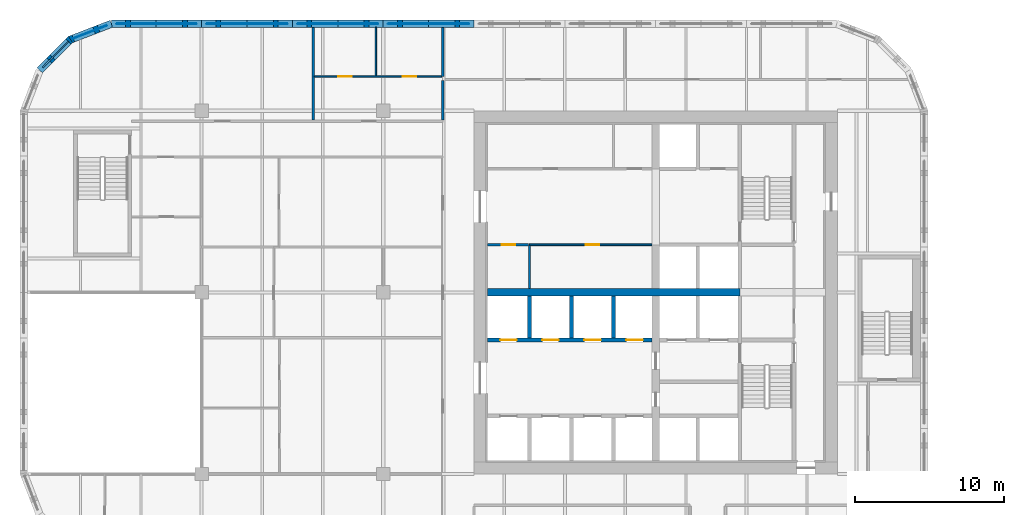
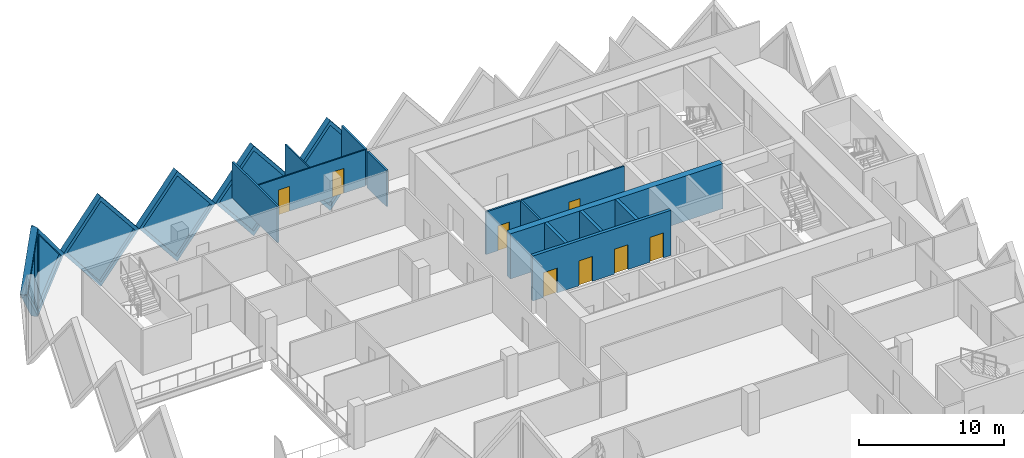
# One storey, part 9 of 19: 19 walls, 8 doors, 6 plates, 14 openings.
"""IFC4 building model written with IfcOpenShell, lengths in metres."""

from ifc_helpers import new_model, si_unit, direction, frame, frame_2d, origin, place, context, subcontext, project, spatial, polyline, rectangle, outline, extrude, faceted_brep, source, transform, mapped, material, layer, layer_set, type_object, element, fill, save


model = new_model("IFC4")

# Units and contexts
model_context = context("Model", 3, precision=1e-05, world=origin(), true_north=direction((0.0, 1.0)))
body_context = subcontext(model_context, "Body", "Model", "MODEL_VIEW")
ifc_project = project(units=[si_unit("LENGTHUNIT", "METRE"), si_unit("AREAUNIT", "SQUARE_METRE"), si_unit("VOLUMEUNIT", "CUBIC_METRE"), si_unit("PLANEANGLEUNIT", "RADIAN"), si_unit("MASSUNIT", "GRAM", prefix="KILO")], contexts=[model_context])

# Site, building, storey
site_placement = place(None, origin())
site = spatial("IfcSite", under=ifc_project, at=site_placement, CompositionType="ELEMENT")
building_placement = place(site_placement, origin())
building = spatial("IfcBuilding", under=site, at=building_placement, Name="Tessera Gate Towers", CompositionType="ELEMENT")
storey_placement = place(building_placement, frame((0.0, 0.0, 72.39990234375)))
storey = spatial("IfcBuildingStorey", under=building, at=storey_placement, Name="L17", CompositionType="ELEMENT", Elevation=72.39990234375)

# Wall, openings, doors
ifc_material_1 = material(Name="Concrete C40/50", Category="concrete")
ifc_layer_1 = layer(ifc_material_1, 0.25)
ifc_layer_set_1 = layer_set([ifc_layer_1], Name="CORE ENCLOSURE WALL 250")
wall_type_1 = type_object("IfcWallType", Name="CORE ENCLOSURE WALL 250", PredefinedType="SOLIDWALL", material=ifc_layer_set_1)
wall_1_placement = place(storey_placement, frame((42.449951171875, 33.39990234375, 0.0), z_axis=(0.0, 0.0, 1.0), x_axis=(-1.0, 0.0, 0.0)))
wall_1 = element("IfcWall", 1, at=wall_1_placement, inside=storey, type_object=wall_type_1, Name="L17 shaft and stair enclosure wall", PredefinedType="SOLIDWALL", context=body_context, shape_type="SweptSolid", body=[
    extrude(rectangle(XDim=11.050048828125, YDim=0.25, at=frame_2d((5.52490234375, 0.0))), origin(), (0.0, 0.0, 1.0), 3.800048828125),
])
shared_shape_1 = source(origin(), body_context, "Body", "SweptSolid", [
    extrude(rectangle(XDim=1.10009765625, YDim=2.10009765625, at=frame_2d((0.550048828125, 1.050048828125))), frame((0.0, 0.135009765625, 0.0), z_axis=(0.0, -1.0, 0.0), x_axis=(1.0, 0.0, 0.0)), (0.0, 0.0, 1.0), 0.27001953125),
])
opening_1_placement = place(wall_1_placement, frame((9.08740234375, 0.0, 0.0)))
opening_1 = element("IfcOpeningElement", 2, at=opening_1_placement, cuts=wall_1, Name="Opening LD-LR5", PredefinedType="OPENING", context=body_context, shape_type="MappedRepresentation", body=[
    mapped(shared_shape_1, transform((0.0, 0.0, 0.0), scale=1.0)),
])
opening_2_placement = place(wall_1_placement, frame((6.262451171875, 0.0, 0.0)))
opening_2 = element("IfcOpeningElement", 3, at=opening_2_placement, cuts=wall_1, Name="Opening LD-LR6", PredefinedType="OPENING", context=body_context, shape_type="MappedRepresentation", body=[
    mapped(shared_shape_1, transform((0.0, 0.0, 0.0), scale=1.0)),
])
opening_3_placement = place(wall_1_placement, frame((3.4375, 0.0, 0.0)))
opening_3 = element("IfcOpeningElement", 4, at=opening_3_placement, cuts=wall_1, Name="Opening LD-LR7", PredefinedType="OPENING", context=body_context, shape_type="MappedRepresentation", body=[
    mapped(shared_shape_1, transform((0.0, 0.0, 0.0), scale=1.0)),
])
opening_4_placement = place(wall_1_placement, frame((0.612548828125, 0.0, 0.0)))
opening_4 = element("IfcOpeningElement", 5, at=opening_4_placement, cuts=wall_1, Name="Opening LD-LR8", PredefinedType="OPENING", context=body_context, shape_type="MappedRepresentation", body=[
    mapped(shared_shape_1, transform((0.0, 0.0, 0.0), scale=1.0)),
])
ifc_material_2 = material(Name="Stainless steel", Category="steel")
door_type_1 = type_object("IfcDoorType", Name="CORE DOOR LD 1100x2100", OperationType="DOUBLE_DOOR_SLIDING", PredefinedType="DOOR", material=ifc_material_2)
shared_shape_2 = source(origin(), body_context, "Body", "SweptSolid", [
    extrude(rectangle(XDim=1.10009765625, YDim=2.10009765625, at=frame_2d((0.550048828125, 1.050048828125))), frame((0.0, 0.02490234375, 0.0), z_axis=(0.0, -1.0, 0.0), x_axis=(1.0, 0.0, 0.0)), (0.0, 0.0, 1.0), 0.050048828125),
])
door_1_placement = place(opening_1_placement, origin())
door_1 = element("IfcDoor", 6, at=door_1_placement, inside=storey, type_object=door_type_1, Name="Landing door LR5 L17", OperationType="DOUBLE_DOOR_SLIDING", OverallHeight=2.10009765625, OverallWidth=1.10009765625, PredefinedType="DOOR", context=body_context, shape_type="MappedRepresentation", body=[
    mapped(shared_shape_2, transform((0.0, 0.0, 0.0), scale=1.0)),
])
fill(opening_1, door_1)
door_2_placement = place(opening_2_placement, origin())
door_2 = element("IfcDoor", 7, at=door_2_placement, inside=storey, type_object=door_type_1, Name="Landing door LR6 L17", OperationType="DOUBLE_DOOR_SLIDING", OverallHeight=2.10009765625, OverallWidth=1.10009765625, PredefinedType="DOOR", context=body_context, shape_type="MappedRepresentation", body=[
    mapped(shared_shape_2, transform((0.0, 0.0, 0.0), scale=1.0)),
])
fill(opening_2, door_2)
door_3_placement = place(opening_3_placement, origin())
door_3 = element("IfcDoor", 8, at=door_3_placement, inside=storey, type_object=door_type_1, Name="Landing door LR7 L17", OperationType="DOUBLE_DOOR_SLIDING", OverallHeight=2.10009765625, OverallWidth=1.10009765625, PredefinedType="DOOR", context=body_context, shape_type="MappedRepresentation", body=[
    mapped(shared_shape_2, transform((0.0, 0.0, 0.0), scale=1.0)),
])
fill(opening_3, door_3)
door_4_placement = place(opening_4_placement, origin())
door_4 = element("IfcDoor", 9, at=door_4_placement, inside=storey, type_object=door_type_1, Name="Landing door LR8 L17", OperationType="DOUBLE_DOOR_SLIDING", OverallHeight=2.10009765625, OverallWidth=1.10009765625, PredefinedType="DOOR", context=body_context, shape_type="MappedRepresentation", body=[
    mapped(shared_shape_2, transform((0.0, 0.0, 0.0), scale=1.0)),
])
fill(opening_4, door_4)

# Walls
for number, where, z_axis, x_axis, name in (
    (10, (34.22509765625, 33.52490234375, 0.0), (0.0, 0.0, 1.0), (0.0, 1.0, 0.0), "L17 shaft and stair enclosure wall"),
    (11, (37.050048828125, 33.52490234375, 0.0), (0.0, 0.0, 1.0), (0.0, 1.0, 0.0), "L17 shaft and stair enclosure wall"),
    (12, (39.875, 33.52490234375, 0.0), (0.0, 0.0, 1.0), (0.0, 1.0, 0.0), "L17 shaft and stair enclosure wall"),
):
    element("IfcWall", number, at=place(storey_placement, frame(where, z_axis=z_axis, x_axis=x_axis)), inside=storey, type_object=wall_type_1, Name=name, PredefinedType="SOLIDWALL", context=body_context, shape_type="SweptSolid", body=[
        extrude(rectangle(XDim=2.8251953125, YDim=0.25, at=frame_2d((1.41259765625, 0.0))), origin(), (0.0, 0.0, 1.0), 3.800048828125),
    ])

# Wall, opening, door
ifc_material_3 = material(Name="Gypsum board on steel studs", Category="steel")
ifc_layer_2 = layer(ifc_material_3, 0.1201171875)
ifc_layer_set_2 = layer_set([ifc_layer_2], Name="CORE PARTITION 120")
wall_type_2 = type_object("IfcWallType", Name="CORE PARTITION 120", PredefinedType="PARTITIONING", material=ifc_layer_set_2)
wall_2_placement = place(storey_placement, frame((42.449951171875, 39.800048828125, 0.0), z_axis=(0.0, 0.0, 1.0), x_axis=(-1.0, 0.0, 0.0)))
wall_2 = element("IfcWall", 13, at=wall_2_placement, inside=storey, type_object=wall_type_2, Name="L17 core partition", PredefinedType="PARTITIONING", context=body_context, shape_type="SweptSolid", body=[
    extrude(rectangle(XDim=8.224853515625, YDim=0.1201171875, at=frame_2d((4.1123046875, 0.0))), origin(), (0.0, 0.0, 1.0), 3.60009765625),
])
shared_shape_3 = source(origin(), body_context, "Body", "SweptSolid", [
    extrude(rectangle(XDim=0.89990234375, YDim=2.10009765625, at=frame_2d((0.449951171875, 1.050048828125))), frame((0.0, 0.070068359375, 0.0), z_axis=(0.0, -1.0, 0.0), x_axis=(1.0, 0.0, 0.0)), (0.0, 0.0, 1.0), 0.14013671875),
])
opening_5_placement = place(wall_2_placement, frame((3.53759765625, 0.0, 0.0)))
opening_5 = element("IfcOpeningElement", 14, at=opening_5_placement, cuts=wall_2, Name="Opening RD-T1-13-09", PredefinedType="OPENING", context=body_context, shape_type="MappedRepresentation", body=[
    mapped(shared_shape_3, transform((0.0, 0.0, 0.0), scale=1.0)),
])
ifc_material_4 = material(Name="Hollow steel fire door", Category="steel")
door_type_2 = type_object("IfcDoorType", Name="CORE DOOR RD 900x2100", OperationType="NOTDEFINED", PredefinedType="DOOR", material=ifc_material_4)
shared_shape_4 = source(origin(), body_context, "Body", "SweptSolid", [
    extrude(rectangle(XDim=0.89990234375, YDim=2.10009765625, at=frame_2d((0.449951171875, 1.050048828125))), frame((0.0, 0.02490234375, 0.0), z_axis=(0.0, -1.0, 0.0), x_axis=(1.0, 0.0, 0.0)), (0.0, 0.0, 1.0), 0.050048828125),
])
door_5_placement = place(opening_5_placement, origin())
door_5 = element("IfcDoor", 15, at=door_5_placement, inside=storey, type_object=door_type_2, Name="Core room door", OperationType="SINGLE_SWING_LEFT", OverallHeight=2.10009765625, OverallWidth=0.89990234375, PredefinedType="DOOR", context=body_context, shape_type="MappedRepresentation", body=[
    mapped(shared_shape_4, transform((0.0, 0.0, 0.0), scale=1.0)),
])
fill(opening_5, door_5)

# Walls
ifc_material_5 = material(Name="Concrete C60/75", Category="concrete")
ifc_layer_3 = layer(ifc_material_5, 0.5)
ifc_layer_set_3 = layer_set([ifc_layer_3], Name="CORE SPINE WALL 500 C60/75")
wall_type_3 = type_object("IfcWallType", Name="CORE SPINE WALL 500 C60/75", PredefinedType="SHEAR", material=ifc_layer_set_3)
wall_3_placement = place(storey_placement, frame((31.39990234375, 36.60009765625, 0.0), z_axis=(0.0, 0.0, 1.0), x_axis=(1.0, 0.0, 0.0)))
element("IfcWall", 16, at=wall_3_placement, inside=storey, type_object=wall_type_3, Name="Core wall spine L17", PredefinedType="SHEAR", context=body_context, shape_type="SweptSolid", body=[
    extrude(rectangle(XDim=16.9501953125, YDim=0.5, at=frame_2d((8.47509765625, 0.0))), origin(), (0.0, 0.0, 1.0), 3.800048828125),
])
ifc_material_6 = material(Name="Gypsum board on steel studs, mineral wool", Category="steel")
ifc_layer_4 = layer(ifc_material_6, 0.14990234375)
ifc_layer_set_4 = layer_set([ifc_layer_4], Name="CORRIDOR WALL 150")
wall_type_4 = type_object("IfcWallType", Name="CORRIDOR WALL 150", PredefinedType="PARTITIONING", material=ifc_layer_set_4)
wall_4_placement = place(storey_placement, frame((28.39990234375, 48.176025390625, 0.0), z_axis=(0.0, 0.0, 1.0), x_axis=(0.0, 1.0, 0.0)))
element("IfcWall", 17, at=wall_4_placement, inside=storey, type_object=wall_type_4, Name="T1-L17-PW-045", PredefinedType="PARTITIONING", context=body_context, shape_type="SweptSolid", body=[
    extrude(rectangle(XDim=2.64794921875, YDim=0.14990234375, at=frame_2d((1.323974609375, 0.0))), origin(), (0.0, 0.0, 1.0), 3.067138671875),
])

# Wall, openings, doors
ifc_material_7 = material(Name="Gypsum board on steel studs", Category="steel")
ifc_layer_5 = layer(ifc_material_7, 0.10009765625)
ifc_layer_set_5 = layer_set([ifc_layer_5], Name="PARTITION 100")
wall_type_5 = type_object("IfcWallType", Name="PARTITION 100", PredefinedType="PARTITIONING", material=ifc_layer_set_5)
wall_5_placement = place(storey_placement, frame((19.77587890625, 51.10009765625, 0.0), z_axis=(0.0, 0.0, 1.0), x_axis=(1.0, 0.0, 0.0)))
wall_5 = element("IfcWall", 18, at=wall_5_placement, inside=storey, type_object=wall_type_5, Name="T1-L17-PW-049", PredefinedType="PARTITIONING", context=body_context, shape_type="SweptSolid", body=[
    extrude(rectangle(XDim=8.548095703125, YDim=0.10009765625, at=frame_2d((4.27392578125, 0.0))), origin(), (0.0, 0.0, 1.0), 3.067138671875),
])
shared_shape_5 = source(origin(), body_context, "Body", "SweptSolid", [
    extrude(rectangle(XDim=0.89990234375, YDim=2.10009765625, at=frame_2d((0.449951171875, 1.050048828125))), frame((0.0, 0.06005859375, 0.0), z_axis=(0.0, -1.0, 0.0), x_axis=(1.0, 0.0, 0.0)), (0.0, 0.0, 1.0), 0.1201171875),
])
opening_6_placement = place(wall_5_placement, frame((1.60009765625, 0.0, 0.0)))
opening_6 = element("IfcOpeningElement", 19, at=opening_6_placement, cuts=wall_5, Name="Opening D190-A06-01", PredefinedType="OPENING", context=body_context, shape_type="MappedRepresentation", body=[
    mapped(shared_shape_5, transform((0.0, 0.0, 0.0), scale=1.0)),
])
opening_7_placement = place(wall_5_placement, frame((5.927001953125, 0.0, 0.0)))
opening_7 = element("IfcOpeningElement", 20, at=opening_7_placement, cuts=wall_5, Name="Opening D190-A06-03", PredefinedType="OPENING", context=body_context, shape_type="MappedRepresentation", body=[
    mapped(shared_shape_5, transform((0.0, 0.0, 0.0), scale=1.0)),
])
ifc_material_8 = material(Name="Timber door leaf in steel frame", Category="steel")
door_type_3 = type_object("IfcDoorType", Name="INTERNAL DOOR 900 NOT RATED", OperationType="NOTDEFINED", PredefinedType="DOOR", material=ifc_material_8)
door_6_placement = place(opening_6_placement, origin())
door_6 = element("IfcDoor", 21, at=door_6_placement, inside=storey, type_object=door_type_3, Name="T1-L17-PD-002", OperationType="SINGLE_SWING_LEFT", OverallHeight=2.10009765625, OverallWidth=0.89990234375, PredefinedType="DOOR", context=body_context, shape_type="MappedRepresentation", body=[
    mapped(shared_shape_4, transform((0.0, 0.0, 0.0), scale=1.0)),
])
fill(opening_6, door_6)
door_7_placement = place(opening_7_placement, origin())
door_7 = element("IfcDoor", 22, at=door_7_placement, inside=storey, type_object=door_type_3, Name="T1-L17-PD-005", OperationType="SINGLE_SWING_LEFT", OverallHeight=2.10009765625, OverallWidth=0.89990234375, PredefinedType="DOOR", context=body_context, shape_type="MappedRepresentation", body=[
    mapped(shared_shape_4, transform((0.0, 0.0, 0.0), scale=1.0)),
])
fill(opening_7, door_7)

# Walls
wall_6_placement = place(storey_placement, frame((23.903076171875, 51.15087890625, 0.0), z_axis=(0.0, 0.0, 1.0), x_axis=(0.0, 1.0, 0.0)))
element("IfcWall", 23, at=wall_6_placement, inside=storey, type_object=wall_type_5, Name="T1-L17-PW-051", PredefinedType="PARTITIONING", context=body_context, shape_type="SweptSolid", body=[
    extrude(rectangle(XDim=3.2490234375, YDim=0.10009765625, at=frame_2d((1.62451171875, 0.0))), origin(), (0.0, 0.0, 1.0), 3.067138671875),
])
ifc_material_9 = material(Name="Gypsum board on steel studs", Category="steel")
ifc_layer_6 = layer(ifc_material_9, 0.14990234375)
ifc_layer_set_6 = layer_set([ifc_layer_6], Name="SERVICE ROOM WALL 150")
wall_type_6 = type_object("IfcWallType", Name="SERVICE ROOM WALL 150", PredefinedType="PARTITIONING", material=ifc_layer_set_6)
wall_7_placement = place(storey_placement, frame((34.22509765625, 36.85009765625, 0.0), z_axis=(0.0, 0.0, 1.0), x_axis=(0.0, 1.0, 0.0)))
element("IfcWall", 24, at=wall_7_placement, inside=storey, type_object=wall_type_6, Name="L17 service room wall", PredefinedType="PARTITIONING", context=body_context, shape_type="SweptSolid", body=[
    extrude(rectangle(XDim=2.889892578125, YDim=0.14990234375, at=frame_2d((1.44482421875, 0.0))), origin(), (0.0, 0.0, 1.0), 3.60009765625),
])

# Wall, opening, door
wall_8_placement = place(storey_placement, frame((34.14990234375, 39.800048828125, 0.0), z_axis=(0.0, 0.0, 1.0), x_axis=(-1.0, 0.0, 0.0)))
wall_8 = element("IfcWall", 25, at=wall_8_placement, inside=storey, type_object=wall_type_6, Name="L17 service room wall", PredefinedType="PARTITIONING", context=body_context, shape_type="SweptSolid", body=[
    extrude(rectangle(XDim=2.75, YDim=0.14990234375, at=frame_2d((1.375, 0.0))), origin(), (0.0, 0.0, 1.0), 3.60009765625),
])
shared_shape_6 = source(origin(), body_context, "Body", "SweptSolid", [
    extrude(rectangle(XDim=0.89990234375, YDim=2.10009765625, at=frame_2d((0.449951171875, 1.050048828125))), frame((0.0, 0.0849609375, 0.0), z_axis=(0.0, -1.0, 0.0), x_axis=(1.0, 0.0, 0.0)), (0.0, 0.0, 1.0), 0.169921875),
])
opening_8_placement = place(wall_8_placement, frame((0.887451171875, 0.0, 0.0)))
opening_8 = element("IfcOpeningElement", 26, at=opening_8_placement, cuts=wall_8, Name="Opening RD-T1-13-12", PredefinedType="OPENING", context=body_context, shape_type="MappedRepresentation", body=[
    mapped(shared_shape_6, transform((0.0, 0.0, 0.0), scale=1.0)),
])
door_8_placement = place(opening_8_placement, origin())
door_8 = element("IfcDoor", 27, at=door_8_placement, inside=storey, type_object=door_type_2, Name="Core room door", OperationType="SINGLE_SWING_LEFT", OverallHeight=2.10009765625, OverallWidth=0.89990234375, PredefinedType="DOOR", context=body_context, shape_type="MappedRepresentation", body=[
    mapped(shared_shape_4, transform((0.0, 0.0, 0.0), scale=1.0)),
])
fill(opening_8, door_8)

# Walls
ifc_material_10 = material(Name="Gypsum board on steel studs, mineral wool", Category="steel")
ifc_layer_7 = layer(ifc_material_10, 0.14990234375)
ifc_layer_set_7 = layer_set([ifc_layer_7], Name="TENANCY WALL 150")
wall_type_7 = type_object("IfcWallType", Name="TENANCY WALL 150", PredefinedType="PARTITIONING", material=ifc_layer_set_7)
wall_9_placement = place(storey_placement, frame((19.699951171875, 48.176025390625, 0.0), z_axis=(0.0, 0.0, 1.0), x_axis=(0.0, 1.0, 0.0)))
element("IfcWall", 28, at=wall_9_placement, inside=storey, type_object=wall_type_7, Name="T1-L17-PW-044", PredefinedType="PARTITIONING", context=body_context, shape_type="SweptSolid", body=[
    extrude(rectangle(XDim=6.223876953125, YDim=0.14990234375, at=frame_2d((3.11181640625, 0.0))), origin(), (0.0, 0.0, 1.0), 3.067138671875),
])
wall_10_placement = place(storey_placement, frame((28.39990234375, 51.10009765625, 0.0), z_axis=(0.0, 0.0, 1.0), x_axis=(0.0, 1.0, 0.0)))
element("IfcWall", 29, at=wall_10_placement, inside=storey, type_object=wall_type_7, Name="T1-L17-PW-050", PredefinedType="PARTITIONING", context=body_context, shape_type="SweptSolid", body=[
    extrude(rectangle(XDim=3.2998046875, YDim=0.14990234375, at=frame_2d((1.64990234375, 0.0))), origin(), (0.0, 0.0, 1.0), 3.067138671875),
])

# Wall, opening, plate
ifc_material_11 = material(Name="Precast concrete C60/75 white", Category="concrete")
ifc_layer_8 = layer(ifc_material_11, 0.5)
ifc_layer_set_8 = layer_set([ifc_layer_8], Name="TS1 tessera")
wall_type_8 = type_object("IfcWallType", Name="TS1 tessera", PredefinedType="SOLIDWALL", material=ifc_layer_set_8)
shared_shape_7 = source(origin(), body_context, "Body", "Brep", [
    faceted_brep([(3.050048828125, -0.25, 0.0), (6.099853515625, -0.25, 3.799560546875), (6.099853515625, -0.25, 3.800048828125), (3.050048828125, -0.25, 7.599853515625), (0.0, -0.25, 3.7998046875), (0.0, 0.25, 3.7998046875), (3.050048828125, 0.25, 7.599853515625), (6.099853515625, 0.25, 3.800048828125), (6.099853515625, 0.25, 3.799560546875), (3.050048828125, 0.25, 0.0)], [[[0, 1, 2, 3, 4]], [[5, 6, 7, 8, 9]], [[9, 8, 1, 0]], [[7, 6, 3, 2]], [[6, 5, 4, 3]], [[5, 9, 0, 4]], [[1, 8, 7, 2]]]),
])
wall_11_placement = place(storey_placement, frame((24.39990234375, 54.64990234375, -3.7998046875), z_axis=(0.0, 0.0, 1.0), x_axis=(-1.0, 0.0, 0.0)))
wall_11 = element("IfcWall", 30, at=wall_11_placement, inside=storey, type_object=wall_type_8, Name="Precast tessera T1 TS1-0245", PredefinedType="SOLIDWALL", context=body_context, shape_type="MappedRepresentation", body=[
    mapped(shared_shape_7, transform((0.0, 0.0, 0.0), scale=1.0)),
])
shared_shape_8 = source(origin(), body_context, "Body", "SweptSolid", [
    extrude(outline(polyline([(3.050048828125, 0.3994140625), (5.779541015625, 3.7998046875), (3.050048828125, 7.200439453125), (0.320556640625, 3.7998046875), (3.050048828125, 0.3994140625)])), frame((0.0, 0.260009765625, 0.0), z_axis=(0.0, -1.0, 0.0), x_axis=(1.0, 0.0, 0.0)), (0.0, 0.0, 1.0), 0.52001953125),
])
opening_9_placement = place(wall_11_placement, origin())
opening_9 = element("IfcOpeningElement", 31, at=opening_9_placement, cuts=wall_11, Name="Opening T1-PL2-0493", PredefinedType="OPENING", context=body_context, shape_type="MappedRepresentation", body=[
    mapped(shared_shape_8, transform((0.0, 0.0, 0.0), scale=1.0)),
])
ifc_material_12 = material(Name="Low-e laminated glass", Category="glass")
ifc_layer_9 = layer(ifc_material_12, 0.06005859375)
ifc_layer_set_9 = layer_set([ifc_layer_9], Name="PL2 rhombic pane")
plate_type = type_object("IfcPlateType", Name="PL2 rhombic pane", PredefinedType="SHEET", material=ifc_layer_set_9)
shared_shape_9 = source(origin(), body_context, "Body", "SweptSolid", [
    extrude(outline(polyline([(3.050048828125, 0.3994140625), (5.779541015625, 3.7998046875), (3.050048828125, 7.200439453125), (0.320556640625, 3.7998046875), (3.050048828125, 0.3994140625)])), frame((0.0, 0.030029296875, 0.0), z_axis=(0.0, -1.0, 0.0), x_axis=(1.0, 0.0, 0.0)), (0.0, 0.0, 1.0), 0.06005859375),
])
plate_1_placement = place(opening_9_placement, origin())
plate_1 = element("IfcPlate", 32, at=plate_1_placement, inside=storey, type_object=plate_type, Name="Glass pane T1 PL2-0493", PredefinedType="SHEET", context=body_context, shape_type="MappedRepresentation", body=[
    mapped(shared_shape_9, transform((0.0, 0.0, 0.0), scale=1.0)),
])
fill(opening_9, plate_1)

shared_shape_10 = source(origin(), body_context, "Body", "SweptSolid", [
    extrude(outline(polyline([(3.050048828125, 0.0), (6.10009765625, 3.7998046875), (3.050048828125, 7.599853515625), (0.0, 3.7998046875), (3.050048828125, 0.0)])), frame((0.0, 0.25, 0.0), z_axis=(0.0, -1.0, 0.0), x_axis=(1.0, 0.0, 0.0)), (0.0, 0.0, 1.0), 0.5),
])
wall_12_placement = place(storey_placement, frame((30.5, 54.64990234375, -3.7998046875), z_axis=(0.0, 0.0, 1.0), x_axis=(-1.0, 0.0, 0.0)))
wall_12 = element("IfcWall", 33, at=wall_12_placement, inside=storey, type_object=wall_type_8, Name="Precast tessera T1 TS1-0244", PredefinedType="SOLIDWALL", context=body_context, shape_type="MappedRepresentation", body=[
    mapped(shared_shape_10, transform((0.0, 0.0, 0.0), scale=1.0)),
])
opening_10_placement = place(wall_12_placement, origin())
opening_10 = element("IfcOpeningElement", 34, at=opening_10_placement, cuts=wall_12, Name="Opening T1-PL2-0492", PredefinedType="OPENING", context=body_context, shape_type="MappedRepresentation", body=[
    mapped(shared_shape_8, transform((0.0, 0.0, 0.0), scale=1.0)),
])
plate_2_placement = place(opening_10_placement, origin())
plate_2 = element("IfcPlate", 35, at=plate_2_placement, inside=storey, type_object=plate_type, Name="Glass pane T1 PL2-0492", PredefinedType="SHEET", context=body_context, shape_type="MappedRepresentation", body=[
    mapped(shared_shape_9, transform((0.0, 0.0, 0.0), scale=1.0)),
])
fill(opening_10, plate_2)

wall_13_placement = place(storey_placement, frame((18.300048828125, 54.64990234375, -3.7998046875), z_axis=(0.0, 0.0, 1.0), x_axis=(-1.0, 0.0, 0.0)))
wall_13 = element("IfcWall", 36, at=wall_13_placement, inside=storey, type_object=wall_type_8, Name="Precast tessera T1 TS1-0246", PredefinedType="SOLIDWALL", context=body_context, shape_type="MappedRepresentation", body=[
    mapped(shared_shape_10, transform((0.0, 0.0, 0.0), scale=1.0)),
])
opening_11_placement = place(wall_13_placement, origin())
opening_11 = element("IfcOpeningElement", 37, at=opening_11_placement, cuts=wall_13, Name="Opening T1-PL2-0494", PredefinedType="OPENING", context=body_context, shape_type="MappedRepresentation", body=[
    mapped(shared_shape_8, transform((0.0, 0.0, 0.0), scale=1.0)),
])
plate_3_placement = place(opening_11_placement, origin())
plate_3 = element("IfcPlate", 38, at=plate_3_placement, inside=storey, type_object=plate_type, Name="Glass pane T1 PL2-0494", PredefinedType="SHEET", context=body_context, shape_type="MappedRepresentation", body=[
    mapped(shared_shape_9, transform((0.0, 0.0, 0.0), scale=1.0)),
])
fill(opening_11, plate_3)

shared_shape_11 = source(origin(), body_context, "Body", "Brep", [
    faceted_brep([(3.050048828125, -0.25, 0.0), (6.053466796875, -0.25, 3.7998046875), (3.050048828125, -0.25, 7.599853515625), (0.0, -0.25, 3.7998046875), (0.0, 0.25, 3.7998046875), (3.050048828125, 0.25, 7.599853515625), (6.0068359375, 0.25, 3.858642578125), (6.0068359375, 0.25, 3.740966796875), (3.050048828125, 0.25, 0.0), (6.053466796875, 0.0, 3.7998046875)], [[[0, 1, 2, 3]], [[4, 5, 6, 7, 8]], [[8, 7, 9, 1, 0]], [[6, 5, 2, 1, 9]], [[5, 4, 3, 2]], [[4, 8, 0, 3]], [[9, 7, 6]]]),
])
wall_14_placement = place(storey_placement, frame((12.199951171875, 54.64990234375, -3.7998046875), z_axis=(0.0, 0.0, 1.0), x_axis=(-1.0, 0.0, 0.0)))
wall_14 = element("IfcWall", 39, at=wall_14_placement, inside=storey, type_object=wall_type_8, Name="Precast tessera T1 TS1-0247", PredefinedType="SOLIDWALL", context=body_context, shape_type="MappedRepresentation", body=[
    mapped(shared_shape_11, transform((0.0, 0.0, 0.0), scale=1.0)),
])
shared_shape_12 = source(origin(), body_context, "Body", "SweptSolid", [
    extrude(outline(polyline([(3.048583984375, 0.401123046875), (5.73486328125, 3.7998046875), (3.048583984375, 7.19873046875), (0.320556640625, 3.7998046875), (3.048583984375, 0.401123046875)])), frame((0.0, 0.260009765625, 0.0), z_axis=(0.0, -1.0, 0.0), x_axis=(1.0, 0.0, 0.0)), (0.0, 0.0, 1.0), 0.52001953125),
])
opening_12_placement = place(wall_14_placement, origin())
opening_12 = element("IfcOpeningElement", 40, at=opening_12_placement, cuts=wall_14, Name="Opening T1-PL2-0495", PredefinedType="OPENING", context=body_context, shape_type="MappedRepresentation", body=[
    mapped(shared_shape_12, transform((0.0, 0.0, 0.0), scale=1.0)),
])
shared_shape_13 = source(origin(), body_context, "Body", "SweptSolid", [
    extrude(outline(polyline([(3.048583984375, 0.401123046875), (5.73486328125, 3.7998046875), (3.048583984375, 7.19873046875), (0.320556640625, 3.7998046875), (3.048583984375, 0.401123046875)])), frame((0.0, 0.030029296875, 0.0), z_axis=(0.0, -1.0, 0.0), x_axis=(1.0, 0.0, 0.0)), (0.0, 0.0, 1.0), 0.06005859375),
])
plate_4_placement = place(opening_12_placement, origin())
plate_4 = element("IfcPlate", 41, at=plate_4_placement, inside=storey, type_object=plate_type, Name="Glass pane T1 PL2-0495", PredefinedType="SHEET", context=body_context, shape_type="MappedRepresentation", body=[
    mapped(shared_shape_13, transform((0.0, 0.0, 0.0), scale=1.0)),
])
fill(opening_12, plate_4)

ifc_material_13 = material(Name="Precast concrete C60/75 white", Category="concrete")
ifc_layer_10 = layer(ifc_material_13, 0.5)
ifc_layer_set_10 = layer_set([ifc_layer_10], Name="TS3 corner tessera")
wall_type_9 = type_object("IfcWallType", Name="TS3 corner tessera", PredefinedType="SOLIDWALL", material=ifc_layer_set_10)
shared_shape_14 = source(origin(), body_context, "Body", "Brep", [
    faceted_brep([(0.052978515625, -0.25, 0.0), (2.9970703125, -0.25, 3.7998046875), (0.052978515625, -0.25, 7.599853515625), (0.0, -0.25, 7.53173828125), (0.0, -0.25, 0.068115234375), (0.10595703125, 0.25, 7.531494140625), (2.944091796875, 0.25, 3.867919921875), (2.944091796875, 0.25, 3.731689453125), (0.10595703125, 0.25, 0.068359375), (2.9970703125, 0.000244140625, 3.7998046875), (0.052978515625, 0.0, 0.0), (0.052978515625, 0.0, 7.599853515625)], [[[0, 1, 2, 3, 4]], [[5, 6, 7, 8]], [[8, 7, 9, 1, 0, 10]], [[6, 5, 11, 2, 1, 9]], [[3, 2, 11]], [[10, 0, 4]], [[8, 10, 4, 3, 11, 5]], [[9, 7, 6]]]),
])
wall_15_placement = place(storey_placement, frame((3.43115234375, 53.62548828125, -3.7998046875), z_axis=(0.0, 0.0, 1.0), x_axis=(-0.707106781187, -0.707106781187, 0.0)))
wall_15 = element("IfcWall", 42, at=wall_15_placement, inside=storey, type_object=wall_type_9, Name="Precast corner tessera T1 TS3-0370", PredefinedType="SOLIDWALL", context=body_context, shape_type="MappedRepresentation", body=[
    mapped(shared_shape_14, transform((0.0, 0.0, 0.0), scale=1.0)),
])
shared_shape_15 = source(origin(), body_context, "Body", "SweptSolid", [
    extrude(outline(polyline([(0.2529296875, 0.666259765625), (2.680908203125, 3.7998046875), (0.2529296875, 6.93359375), (0.2529296875, 0.666259765625)])), frame((0.0, 0.260009765625, 0.0), z_axis=(0.0, -1.0, 0.0), x_axis=(1.0, 0.0, 0.0)), (0.0, 0.0, 1.0), 0.52001953125),
])
opening_13_placement = place(wall_15_placement, origin())
opening_13 = element("IfcOpeningElement", 43, at=opening_13_placement, cuts=wall_15, Name="Opening T1-PL2-0497", PredefinedType="OPENING", context=body_context, shape_type="MappedRepresentation", body=[
    mapped(shared_shape_15, transform((0.0, 0.0, 0.0), scale=1.0)),
])
shared_shape_16 = source(origin(), body_context, "Body", "SweptSolid", [
    extrude(outline(polyline([(0.2529296875, 0.666259765625), (2.680908203125, 3.7998046875), (0.2529296875, 6.93359375), (0.2529296875, 0.666259765625)])), frame((0.0, 0.030029296875, 0.0), z_axis=(0.0, -1.0, 0.0), x_axis=(1.0, 0.0, 0.0)), (0.0, 0.0, 1.0), 0.06005859375),
])
plate_5_placement = place(opening_13_placement, origin())
plate_5 = element("IfcPlate", 44, at=plate_5_placement, inside=storey, type_object=plate_type, Name="Glass pane T1 PL2-0497", PredefinedType="SHEET", context=body_context, shape_type="MappedRepresentation", body=[
    mapped(shared_shape_16, transform((0.0, 0.0, 0.0), scale=1.0)),
])
fill(opening_13, plate_5)

shared_shape_17 = source(origin(), body_context, "Body", "Brep", [
    faceted_brep([(2.950439453125, -0.25, 0.0), (3.00341796875, -0.25, 0.068359375), (3.00341796875, -0.25, 7.531494140625), (2.950439453125, -0.25, 7.599853515625), (0.0, -0.25, 3.7998046875), (0.046630859375, 0.25, 3.85986328125), (2.897705078125, 0.25, 7.53173828125), (2.897705078125, 0.25, 0.068115234375), (0.046630859375, 0.25, 3.73974609375), (2.950439453125, 0.00048828125, 0.0), (2.950439453125, 0.00048828125, 7.599853515625), (0.0, 0.0, 3.7998046875)], [[[0, 1, 2, 3, 4]], [[5, 6, 7, 8]], [[1, 0, 9]], [[10, 3, 2]], [[6, 5, 11, 4, 3, 10]], [[8, 7, 9, 0, 4, 11]], [[8, 11, 5]], [[1, 9, 7, 6, 10, 2]]]),
])
wall_16_placement = place(storey_placement, frame((6.146484375, 54.64990234375, -3.7998046875), z_axis=(0.0, 0.0, 1.0), x_axis=(-0.932997369089, -0.359883188373, 0.0)))
wall_16 = element("IfcWall", 45, at=wall_16_placement, inside=storey, type_object=wall_type_9, Name="Precast corner tessera T1 TS3-0369", PredefinedType="SOLIDWALL", context=body_context, shape_type="MappedRepresentation", body=[
    mapped(shared_shape_17, transform((0.0, 0.0, 0.0), scale=1.0)),
])
shared_shape_18 = source(origin(), body_context, "Body", "SweptSolid", [
    extrude(outline(polyline([(2.75048828125, 6.9345703125), (0.31640625, 3.7998046875), (2.75048828125, 0.6650390625), (2.75048828125, 6.9345703125)])), frame((0.0, 0.260009765625, 0.0), z_axis=(0.0, -1.0, 0.0), x_axis=(1.0, 0.0, 0.0)), (0.0, 0.0, 1.0), 0.52001953125),
])
opening_14_placement = place(wall_16_placement, origin())
opening_14 = element("IfcOpeningElement", 46, at=opening_14_placement, cuts=wall_16, Name="Opening T1-PL2-0496", PredefinedType="OPENING", context=body_context, shape_type="MappedRepresentation", body=[
    mapped(shared_shape_18, transform((0.0, 0.0, 0.0), scale=1.0)),
])
shared_shape_19 = source(origin(), body_context, "Body", "SweptSolid", [
    extrude(outline(polyline([(2.75048828125, 6.9345703125), (0.31640625, 3.7998046875), (2.75048828125, 0.6650390625), (2.75048828125, 6.9345703125)])), frame((0.0, 0.030029296875, 0.0), z_axis=(0.0, -1.0, 0.0), x_axis=(1.0, 0.0, 0.0)), (0.0, 0.0, 1.0), 0.06005859375),
])
plate_6_placement = place(opening_14_placement, origin())
plate_6 = element("IfcPlate", 47, at=plate_6_placement, inside=storey, type_object=plate_type, Name="Glass pane T1 PL2-0496", PredefinedType="SHEET", context=body_context, shape_type="MappedRepresentation", body=[
    mapped(shared_shape_19, transform((0.0, 0.0, 0.0), scale=1.0)),
])
fill(opening_14, plate_6)

save(model, "model.ifc")
